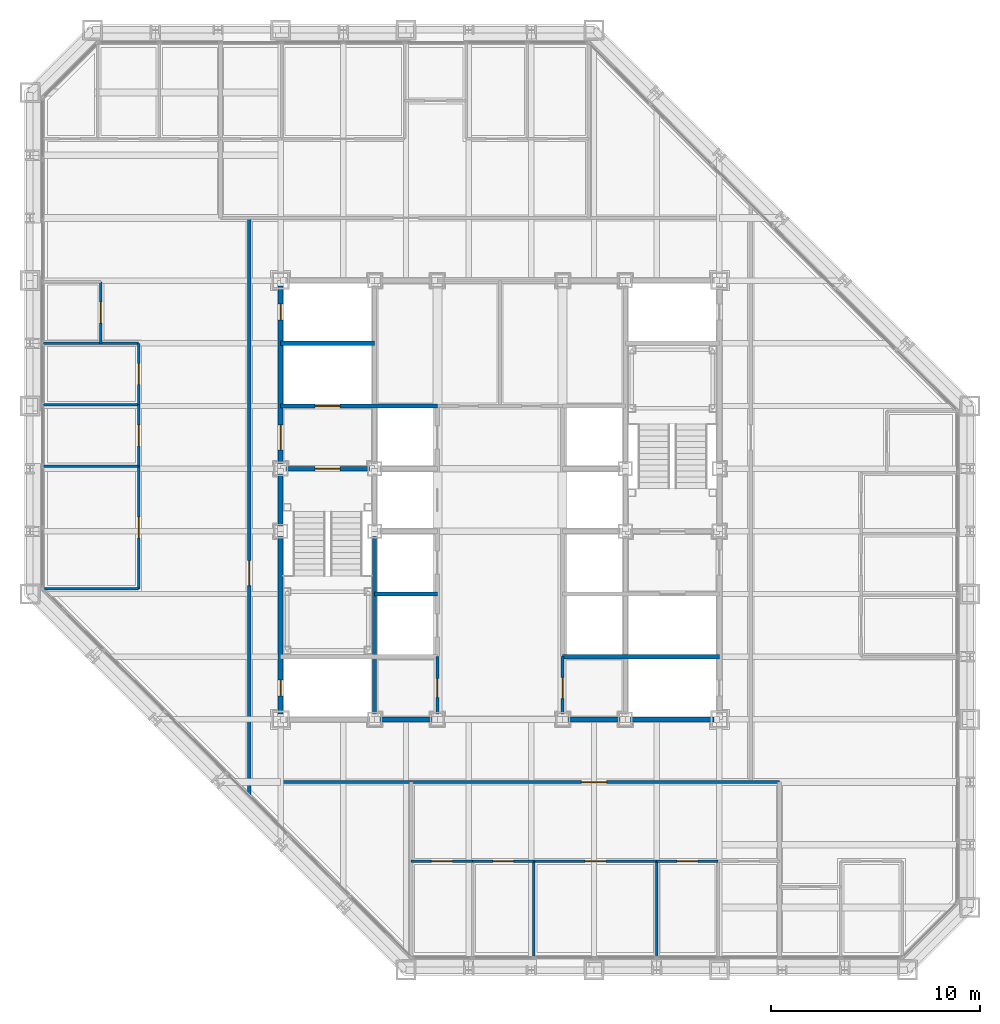
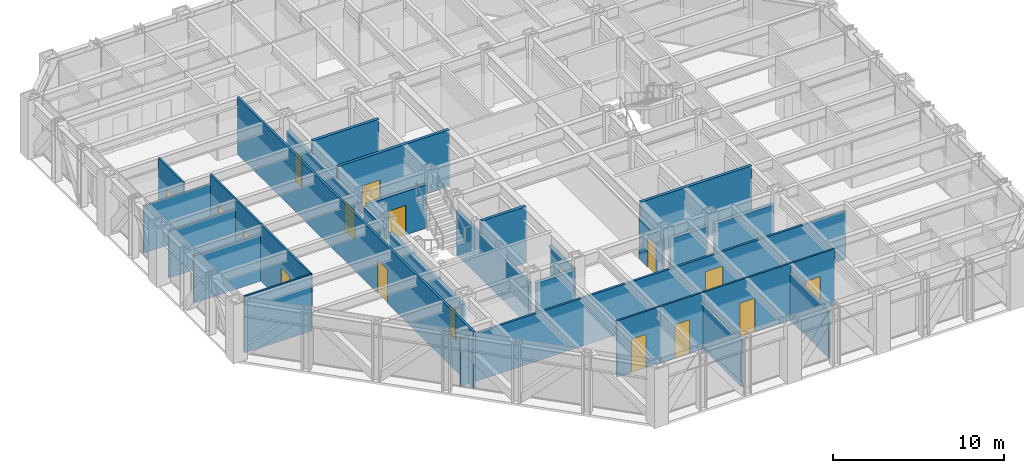
# One storey, part 10 of 16: 30 walls, 17 doors, 17 openings.
"""IFC4 building model written with IfcOpenShell, lengths in metres."""

from ifc_helpers import new_model, si_unit, direction, frame, frame_2d, origin, place, context, subcontext, project, spatial, rectangle, extrude, material, layer, layer_set, type_object, element, fill, save


model = new_model("IFC4")

# Units and contexts
model_context = context("Model", 3, precision=1e-05, world=origin(), true_north=direction((0.0, 1.0)))
body_context = subcontext(model_context, "Body", "Model", "MODEL_VIEW")
ifc_project = project(units=[si_unit("LENGTHUNIT", "METRE"), si_unit("AREAUNIT", "SQUARE_METRE"), si_unit("VOLUMEUNIT", "CUBIC_METRE"), si_unit("PLANEANGLEUNIT", "RADIAN"), si_unit("MASSUNIT", "GRAM", prefix="KILO")], contexts=[model_context])

# Site, building, storey
site_placement = place(None, origin())
site = spatial("IfcSite", under=ifc_project, at=site_placement, CompositionType="ELEMENT")
building_placement = place(site_placement, origin())
building = spatial("IfcBuilding", under=site, at=building_placement, Name="Chuquiago Exchange Tower", CompositionType="ELEMENT")
storey_placement = place(building_placement, frame((0.0, 0.0, 106.800048828125)))
storey = spatial("IfcBuildingStorey", under=building, at=storey_placement, Name="L22", CompositionType="ELEMENT", Elevation=106.800048828125)

# Wall, opening, door
ifc_material_1 = material(Name="Concrete masonry, fully grouted", Category="masonry")
ifc_layer_1 = layer(ifc_material_1, 0.25)
ifc_layer_set_1 = layer_set([ifc_layer_1], Name="W1 core wall 250")
wall_type_1 = type_object("IfcWallType", Name="W1 core wall 250", PredefinedType="SOLIDWALL", material=ifc_layer_set_1)
wall_1_placement = place(storey_placement, frame((12.0, 12.25, 0.0), z_axis=(0.0, 0.0, 1.0), x_axis=(0.0, 1.0, 0.0)))
wall_1 = element("IfcWall", 1, at=wall_1_placement, inside=storey, type_object=wall_type_1, Name="CW-L22-00-0", PredefinedType="SOLIDWALL", context=body_context, shape_type="SweptSolid", body=[
    extrude(rectangle(XDim=8.5, YDim=0.25, at=frame_2d((4.25, 0.0))), origin(), (0.0, 0.0, 1.0), 3.11279296875),
])
opening_1_placement = place(wall_1_placement, frame((0.875, 0.0, 0.0)))
opening_1 = element("IfcOpeningElement", 2, at=opening_1_placement, cuts=wall_1, Name="Opening L22-007", PredefinedType="OPENING", context=body_context, shape_type="SweptSolid", body=[
    extrude(rectangle(XDim=0.75, YDim=2.10009765625, at=frame_2d((0.375, 1.050048828125))), frame((0.0, 0.135009765625, 0.0), z_axis=(0.0, -1.0, 0.0), x_axis=(1.0, 0.0, 0.0)), (0.0, 0.0, 1.0), 0.27001953125),
])
ifc_material_2 = material(Name="Steel door, painted", Category="steel")
door_type_1 = type_object("IfcDoorType", Name="D6 riser access door 750x2100", OperationType="SINGLE_SWING_LEFT", PredefinedType="DOOR", material=ifc_material_2)
door_1_placement = place(opening_1_placement, frame((0.75, 0.0, 0.0), z_axis=(0.0, 0.0, 1.0), x_axis=(-1.0, 0.0, 0.0)))
door_1 = element("IfcDoor", 3, at=door_1_placement, inside=storey, type_object=door_type_1, Name="Riser RW1 door", OperationType="SINGLE_SWING_RIGHT", OverallHeight=2.10009765625, OverallWidth=0.75, PredefinedType="DOOR", context=body_context, shape_type="SweptSolid", body=[
    extrude(rectangle(XDim=0.75, YDim=2.10009765625, at=frame_2d((0.375, 1.050048828125))), frame((0.0, 0.02490234375, 0.0), z_axis=(0.0, -1.0, 0.0), x_axis=(1.0, 0.0, 0.0)), (0.0, 0.0, 1.0), 0.050048828125),
])
fill(opening_1, door_1)

# Wall
wall_2_placement = place(storey_placement, frame((12.0, 21.25, 0.0), z_axis=(0.0, 0.0, 1.0), x_axis=(0.0, 1.0, 0.0)))
element("IfcWall", 4, at=wall_2_placement, inside=storey, type_object=wall_type_1, Name="CW-L22-00-1", PredefinedType="SOLIDWALL", context=body_context, shape_type="SweptSolid", body=[
    extrude(rectangle(XDim=2.5, YDim=0.25, at=frame_2d((1.25, 0.0))), origin(), (0.0, 0.0, 1.0), 3.11279296875),
])

# Wall, openings, doors
wall_3_placement = place(storey_placement, frame((12.0, 24.25, 0.0), z_axis=(0.0, 0.0, 1.0), x_axis=(0.0, 1.0, 0.0)))
wall_3 = element("IfcWall", 5, at=wall_3_placement, inside=storey, type_object=wall_type_1, Name="CW-L22-00-2", PredefinedType="SOLIDWALL", context=body_context, shape_type="SweptSolid", body=[
    extrude(rectangle(XDim=8.5, YDim=0.25, at=frame_2d((4.25, 0.0))), origin(), (0.0, 0.0, 1.0), 3.11279296875),
])
opening_2_placement = place(wall_3_placement, frame((0.64990234375, 0.0, 0.0)))
opening_2 = element("IfcOpeningElement", 6, at=opening_2_placement, cuts=wall_3, Name="Opening L22-002", PredefinedType="OPENING", context=body_context, shape_type="SweptSolid", body=[
    extrude(rectangle(XDim=1.199951171875, YDim=2.10009765625, at=frame_2d((0.60009765625, 1.050048828125))), frame((0.0, 0.135009765625, 0.0), z_axis=(0.0, -1.0, 0.0), x_axis=(1.0, 0.0, 0.0)), (0.0, 0.0, 1.0), 0.27001953125),
])
opening_3_placement = place(wall_3_placement, frame((6.875, 0.0, 0.0)))
opening_3 = element("IfcOpeningElement", 7, at=opening_3_placement, cuts=wall_3, Name="Opening L22-008", PredefinedType="OPENING", context=body_context, shape_type="SweptSolid", body=[
    extrude(rectangle(XDim=0.75, YDim=2.10009765625, at=frame_2d((0.375, 1.050048828125))), frame((0.0, 0.135009765625, 0.0), z_axis=(0.0, -1.0, 0.0), x_axis=(1.0, 0.0, 0.0)), (0.0, 0.0, 1.0), 0.27001953125),
])
ifc_material_3 = material(Name="Steel door, painted", Category="steel")
door_type_2 = type_object("IfcDoorType", Name="D5 firefighting lobby door 1200x2100", OperationType="SINGLE_SWING_LEFT", PredefinedType="DOOR", material=ifc_material_3)
door_2_placement = place(opening_2_placement, frame((1.199951171875, 0.0, 0.0), z_axis=(0.0, 0.0, 1.0), x_axis=(-1.0, 0.0, 0.0)))
door_2 = element("IfcDoor", 8, at=door_2_placement, inside=storey, type_object=door_type_2, Name="Firefighting lobby 1 door", OperationType="SINGLE_SWING_RIGHT", OverallHeight=2.10009765625, OverallWidth=1.199951171875, PredefinedType="DOOR", context=body_context, shape_type="SweptSolid", body=[
    extrude(rectangle(XDim=1.199951171875, YDim=2.10009765625, at=frame_2d((0.60009765625, 1.050048828125))), frame((0.0, 0.02490234375, 0.0), z_axis=(0.0, -1.0, 0.0), x_axis=(1.0, 0.0, 0.0)), (0.0, 0.0, 1.0), 0.050048828125),
])
fill(opening_2, door_2)
door_3_placement = place(opening_3_placement, frame((0.75, 0.0, 0.0), z_axis=(0.0, 0.0, 1.0), x_axis=(-1.0, 0.0, 0.0)))
door_3 = element("IfcDoor", 9, at=door_3_placement, inside=storey, type_object=door_type_1, Name="Riser RW2 door", OperationType="SINGLE_SWING_LEFT", OverallHeight=2.10009765625, OverallWidth=0.75, PredefinedType="DOOR", context=body_context, shape_type="SweptSolid", body=[
    extrude(rectangle(XDim=0.75, YDim=2.10009765625, at=frame_2d((0.375, 1.050048828125))), frame((0.0, 0.02490234375, 0.0), z_axis=(0.0, -1.0, 0.0), x_axis=(1.0, 0.0, 0.0)), (0.0, 0.0, 1.0), 0.050048828125),
])
fill(opening_3, door_3)

# Walls
for number, where, z_axis, x_axis, name in (
    (10, (16.75, 12.0, 0.0), (0.0, 0.0, 1.0), (1.0, 0.0, 0.0), "CW-L22-01-1"),
    (11, (25.75, 12.0, 0.0), (0.0, 0.0, 1.0), (1.0, 0.0, 0.0), "CW-L22-02-0"),
):
    element("IfcWall", number, at=place(storey_placement, frame(where, z_axis=z_axis, x_axis=x_axis)), inside=storey, type_object=wall_type_1, Name=name, PredefinedType="SOLIDWALL", context=body_context, shape_type="SweptSolid", body=[
        extrude(rectangle(XDim=2.5, YDim=0.25, at=frame_2d((1.25, 0.0))), origin(), (0.0, 0.0, 1.0), 3.181396484375),
    ])
wall_4_placement = place(storey_placement, frame((28.75, 12.0, 0.0), z_axis=(0.0, 0.0, 1.0), x_axis=(1.0, 0.0, 0.0)))
element("IfcWall", 12, at=wall_4_placement, inside=storey, type_object=wall_type_1, Name="CW-L22-02-1", PredefinedType="SOLIDWALL", context=body_context, shape_type="SweptSolid", body=[
    extrude(rectangle(XDim=4.0, YDim=0.25, at=frame_2d((2.0, 0.0))), origin(), (0.0, 0.0, 1.0), 3.181396484375),
])

# Wall, opening, door
ifc_material_4 = material(Name="Gypsum board on steel studs, acoustic insulation", Category="steel")
ifc_layer_2 = layer(ifc_material_4, 0.14990234375)
ifc_layer_set_2 = layer_set([ifc_layer_2], Name="W11 corridor wall 150")
wall_type_2 = type_object("IfcWallType", Name="W11 corridor wall 150", PredefinedType="PARTITIONING", material=ifc_layer_set_2)
wall_5_placement = place(storey_placement, frame((9.885498046875, 9.0, 0.0), z_axis=(0.0, 0.0, 1.0), x_axis=(1.0, 0.0, 0.0)))
wall_5 = element("IfcWall", 13, at=wall_5_placement, inside=storey, type_object=wall_type_2, Name="PW-L22-CS", PredefinedType="PARTITIONING", context=body_context, shape_type="SweptSolid", body=[
    extrude(rectangle(XDim=25.990234375, YDim=0.14990234375, at=frame_2d((12.9951171875, 0.0))), origin(), (0.0, 0.0, 1.0), 3.427734375),
])
opening_4_placement = place(wall_5_placement, frame((16.514404296875, 0.0, 0.0)))
opening_4 = element("IfcOpeningElement", 14, at=opening_4_placement, cuts=wall_5, Name="Opening L22-042", PredefinedType="OPENING", context=body_context, shape_type="SweptSolid", body=[
    extrude(rectangle(XDim=1.199951171875, YDim=2.39990234375, at=frame_2d((0.60009765625, 1.199951171875))), frame((0.0, 0.0849609375, 0.0), z_axis=(0.0, -1.0, 0.0), x_axis=(1.0, 0.0, 0.0)), (0.0, 0.0, 1.0), 0.169921875),
])
ifc_material_5 = material(Name="Timber door, laminate faced", Category="wood")
door_type_3 = type_object("IfcDoorType", Name="D13 suite entrance door 1200x2400", OperationType="SINGLE_SWING_LEFT", PredefinedType="DOOR", material=ifc_material_5)
door_4_placement = place(opening_4_placement, frame((1.199951171875, 0.0, 0.0), z_axis=(0.0, 0.0, 1.0), x_axis=(-1.0, 0.0, 0.0)))
door_4 = element("IfcDoor", 15, at=door_4_placement, inside=storey, type_object=door_type_3, Name="South suite entrance door", OperationType="SINGLE_SWING_LEFT", OverallHeight=2.39990234375, OverallWidth=1.199951171875, PredefinedType="DOOR", context=body_context, shape_type="SweptSolid", body=[
    extrude(rectangle(XDim=1.199951171875, YDim=2.39990234375, at=frame_2d((0.60009765625, 1.199951171875))), frame((0.0, 0.02490234375, 0.0), z_axis=(0.0, -1.0, 0.0), x_axis=(1.0, 0.0, 0.0)), (0.0, 0.0, 1.0), 0.050048828125),
])
fill(opening_4, door_4)

wall_6_placement = place(storey_placement, frame((10.5, 8.385498046875, 0.0), z_axis=(0.0, 0.0, 1.0), x_axis=(0.0, 1.0, 0.0)))
wall_6 = element("IfcWall", 16, at=wall_6_placement, inside=storey, type_object=wall_type_2, Name="PW-L22-CW", PredefinedType="PARTITIONING", context=body_context, shape_type="SweptSolid", body=[
    extrude(rectangle(XDim=27.614501953125, YDim=0.14990234375, at=frame_2d((13.80712890625, 0.0))), origin(), (0.0, 0.0, 1.0), 4.0400390625),
])
opening_5_placement = place(wall_6_placement, frame((10.014404296875, 0.0, 0.0)))
opening_5 = element("IfcOpeningElement", 17, at=opening_5_placement, cuts=wall_6, Name="Opening L22-044", PredefinedType="OPENING", context=body_context, shape_type="SweptSolid", body=[
    extrude(rectangle(XDim=1.199951171875, YDim=2.39990234375, at=frame_2d((0.60009765625, 1.199951171875))), frame((0.0, 0.0849609375, 0.0), z_axis=(0.0, -1.0, 0.0), x_axis=(1.0, 0.0, 0.0)), (0.0, 0.0, 1.0), 0.169921875),
])
door_5_placement = place(opening_5_placement, origin())
door_5 = element("IfcDoor", 18, at=door_5_placement, inside=storey, type_object=door_type_3, Name="West suite entrance door", OperationType="SINGLE_SWING_LEFT", OverallHeight=2.39990234375, OverallWidth=1.199951171875, PredefinedType="DOOR", context=body_context, shape_type="SweptSolid", body=[
    extrude(rectangle(XDim=1.199951171875, YDim=2.39990234375, at=frame_2d((0.60009765625, 1.199951171875))), frame((0.0, 0.02490234375, 0.0), z_axis=(0.0, -1.0, 0.0), x_axis=(1.0, 0.0, 0.0)), (0.0, 0.0, 1.0), 0.050048828125),
])
fill(opening_5, door_5)

# Wall
ifc_material_6 = material(Name="Concrete masonry, fully grouted", Category="masonry")
ifc_layer_3 = layer(ifc_material_6, 0.199951171875)
ifc_layer_set_3 = layer_set([ifc_layer_3], Name="W2 shaft wall 200")
wall_type_3 = type_object("IfcWallType", Name="W2 shaft wall 200", PredefinedType="SOLIDWALL", material=ifc_layer_set_3)
wall_7_placement = place(storey_placement, frame((25.5, 15.0, 0.0), z_axis=(0.0, 0.0, 1.0), x_axis=(1.0, 0.0, 0.0)))
element("IfcWall", 19, at=wall_7_placement, inside=storey, type_object=wall_type_3, Name="CW-L22-04-0", PredefinedType="SOLIDWALL", context=body_context, shape_type="SweptSolid", body=[
    extrude(rectangle(XDim=7.5, YDim=0.199951171875, at=frame_2d((3.75, 0.0))), origin(), (0.0, 0.0, 1.0), 4.0400390625),
])

# Wall, opening, door
wall_8_placement = place(storey_placement, frame((12.25, 24.0, 0.0), z_axis=(0.0, 0.0, 1.0), x_axis=(1.0, 0.0, 0.0)))
wall_8 = element("IfcWall", 20, at=wall_8_placement, inside=storey, type_object=wall_type_3, Name="CW-L22-05-0", PredefinedType="SOLIDWALL", context=body_context, shape_type="SweptSolid", body=[
    extrude(rectangle(XDim=4.0, YDim=0.199951171875, at=frame_2d((2.0, 0.0))), origin(), (0.0, 0.0, 1.0), 3.08984375),
])
opening_6_placement = place(wall_8_placement, frame((1.39990234375, 0.0, 0.0)))
opening_6 = element("IfcOpeningElement", 21, at=opening_6_placement, cuts=wall_8, Name="Opening L22-001", PredefinedType="OPENING", context=body_context, shape_type="SweptSolid", body=[
    extrude(rectangle(XDim=1.199951171875, YDim=2.10009765625, at=frame_2d((0.60009765625, 1.050048828125))), frame((0.0, 0.10986328125, 0.0), z_axis=(0.0, -1.0, 0.0), x_axis=(1.0, 0.0, 0.0)), (0.0, 0.0, 1.0), 0.219970703125),
])
ifc_material_7 = material(Name="Steel door, painted", Category="steel")
door_type_4 = type_object("IfcDoorType", Name="D4 stair door 1200x2100", OperationType="SINGLE_SWING_LEFT", PredefinedType="DOOR", material=ifc_material_7)
door_6_placement = place(opening_6_placement, frame((1.199951171875, 0.0, 0.0), z_axis=(0.0, 0.0, 1.0), x_axis=(-1.0, 0.0, 0.0)))
door_6 = element("IfcDoor", 22, at=door_6_placement, inside=storey, type_object=door_type_4, Name="Stair ST1 door", OperationType="SINGLE_SWING_RIGHT", OverallHeight=2.10009765625, OverallWidth=1.199951171875, PredefinedType="DOOR", context=body_context, shape_type="SweptSolid", body=[
    extrude(rectangle(XDim=1.199951171875, YDim=2.10009765625, at=frame_2d((0.60009765625, 1.050048828125))), frame((0.0, 0.02490234375, 0.0), z_axis=(0.0, -1.0, 0.0), x_axis=(1.0, 0.0, 0.0)), (0.0, 0.0, 1.0), 0.050048828125),
])
fill(opening_6, door_6)

wall_9_placement = place(storey_placement, frame((12.0, 27.0, 0.0), z_axis=(0.0, 0.0, 1.0), x_axis=(1.0, 0.0, 0.0)))
wall_9 = element("IfcWall", 23, at=wall_9_placement, inside=storey, type_object=wall_type_3, Name="CW-L22-07-0", PredefinedType="SOLIDWALL", context=body_context, shape_type="SweptSolid", body=[
    extrude(rectangle(XDim=7.5, YDim=0.199951171875, at=frame_2d((3.75, 0.0))), origin(), (0.0, 0.0, 1.0), 4.0400390625),
])
opening_7_placement = place(wall_9_placement, frame((1.64990234375, 0.0, 0.0)))
opening_7 = element("IfcOpeningElement", 24, at=opening_7_placement, cuts=wall_9, Name="Opening L22-005", PredefinedType="OPENING", context=body_context, shape_type="SweptSolid", body=[
    extrude(rectangle(XDim=1.199951171875, YDim=2.10009765625, at=frame_2d((0.60009765625, 1.050048828125))), frame((0.0, 0.10986328125, 0.0), z_axis=(0.0, -1.0, 0.0), x_axis=(1.0, 0.0, 0.0)), (0.0, 0.0, 1.0), 0.219970703125),
])
ifc_material_8 = material(Name="Stainless steel lift landing door", Category="steel")
door_type_5 = type_object("IfcDoorType", Name="LD2 firefighting lift landing door 1200x2100", OperationType="DOUBLE_DOOR_SLIDING", PredefinedType="DOOR", material=ifc_material_8)
door_7_placement = place(opening_7_placement, origin())
door_7 = element("IfcDoor", 25, at=door_7_placement, inside=storey, type_object=door_type_5, Name="Firefighting lift FL1 landing door", OperationType="DOUBLE_DOOR_SLIDING", OverallHeight=2.10009765625, OverallWidth=1.199951171875, PredefinedType="DOOR", context=body_context, shape_type="SweptSolid", body=[
    extrude(rectangle(XDim=1.199951171875, YDim=2.10009765625, at=frame_2d((0.60009765625, 1.050048828125))), frame((0.0, 0.02490234375, 0.0), z_axis=(0.0, -1.0, 0.0), x_axis=(1.0, 0.0, 0.0)), (0.0, 0.0, 1.0), 0.050048828125),
])
fill(opening_7, door_7)

# Walls
wall_10_placement = place(storey_placement, frame((12.0, 30.0, 0.0), z_axis=(0.0, 0.0, 1.0), x_axis=(1.0, 0.0, 0.0)))
element("IfcWall", 26, at=wall_10_placement, inside=storey, type_object=wall_type_3, Name="CW-L22-09-0", PredefinedType="SOLIDWALL", context=body_context, shape_type="SweptSolid", body=[
    extrude(rectangle(XDim=4.5, YDim=0.199951171875, at=frame_2d((2.25, 0.0))), origin(), (0.0, 0.0, 1.0), 4.0400390625),
])
wall_11_placement = place(storey_placement, frame((16.5, 12.25, 0.0), z_axis=(0.0, 0.0, 1.0), x_axis=(0.0, 1.0, 0.0)))
element("IfcWall", 27, at=wall_11_placement, inside=storey, type_object=wall_type_3, Name="CW-L22-13-0", PredefinedType="SOLIDWALL", context=body_context, shape_type="SweptSolid", body=[
    extrude(rectangle(XDim=8.5, YDim=0.199951171875, at=frame_2d((4.25, 0.0))), origin(), (0.0, 0.0, 1.0), 3.11279296875),
])
wall_12_placement = place(storey_placement, frame((16.5, 18.0, 0.0), z_axis=(0.0, 0.0, 1.0), x_axis=(1.0, 0.0, 0.0)))
element("IfcWall", 28, at=wall_12_placement, inside=storey, type_object=wall_type_3, Name="CW-L22-14-0", PredefinedType="SOLIDWALL", context=body_context, shape_type="SweptSolid", body=[
    extrude(rectangle(XDim=3.0, YDim=0.199951171875, at=frame_2d((1.5, 0.0))), origin(), (0.0, 0.0, 1.0), 4.0400390625),
])

# Wall, opening, door
ifc_material_9 = material(Name="Gypsum board on steel studs", Category="steel")
ifc_layer_4 = layer(ifc_material_9, 0.14990234375)
ifc_layer_set_4 = layer_set([ifc_layer_4], Name="W3 core partition 150")
wall_type_4 = type_object("IfcWallType", Name="W3 core partition 150", PredefinedType="PARTITIONING", material=ifc_layer_set_4)
wall_13_placement = place(storey_placement, frame((19.5, 12.25, 0.0), z_axis=(0.0, 0.0, 1.0), x_axis=(0.0, 1.0, 0.0)))
wall_13 = element("IfcWall", 29, at=wall_13_placement, inside=storey, type_object=wall_type_4, Name="CW-L22-18-0", PredefinedType="PARTITIONING", context=body_context, shape_type="SweptSolid", body=[
    extrude(rectangle(XDim=2.75, YDim=0.14990234375, at=frame_2d((1.375, 0.0))), origin(), (0.0, 0.0, 1.0), 3.064453125),
])
opening_8_placement = place(wall_13_placement, frame((0.800048828125, 0.0, 0.0)))
opening_8 = element("IfcOpeningElement", 30, at=opening_8_placement, cuts=wall_13, Name="Opening L22-014", PredefinedType="OPENING", context=body_context, shape_type="SweptSolid", body=[
    extrude(rectangle(XDim=0.89990234375, YDim=2.10009765625, at=frame_2d((0.449951171875, 1.050048828125))), frame((0.0, 0.0849609375, 0.0), z_axis=(0.0, -1.0, 0.0), x_axis=(1.0, 0.0, 0.0)), (0.0, 0.0, 1.0), 0.169921875),
])
ifc_material_10 = material(Name="Timber door, laminate faced", Category="wood")
door_type_6 = type_object("IfcDoorType", Name="D7 toilet door 900x2100", OperationType="SINGLE_SWING_LEFT", PredefinedType="DOOR", material=ifc_material_10)
door_8_placement = place(opening_8_placement, frame((0.89990234375, 0.0, 0.0), z_axis=(0.0, 0.0, 1.0), x_axis=(-1.0, 0.0, 0.0)))
door_8 = element("IfcDoor", 31, at=door_8_placement, inside=storey, type_object=door_type_6, Name="Cleaner door", OperationType="SINGLE_SWING_RIGHT", OverallHeight=2.10009765625, OverallWidth=0.89990234375, PredefinedType="DOOR", context=body_context, shape_type="SweptSolid", body=[
    extrude(rectangle(XDim=0.89990234375, YDim=2.10009765625, at=frame_2d((0.449951171875, 1.050048828125))), frame((0.0, 0.02490234375, 0.0), z_axis=(0.0, -1.0, 0.0), x_axis=(1.0, 0.0, 0.0)), (0.0, 0.0, 1.0), 0.050048828125),
])
fill(opening_8, door_8)

wall_14_placement = place(storey_placement, frame((25.5, 12.25, 0.0), z_axis=(0.0, 0.0, 1.0), x_axis=(0.0, 1.0, 0.0)))
wall_14 = element("IfcWall", 32, at=wall_14_placement, inside=storey, type_object=wall_type_4, Name="CW-L22-21-0", PredefinedType="PARTITIONING", context=body_context, shape_type="SweptSolid", body=[
    extrude(rectangle(XDim=2.75, YDim=0.14990234375, at=frame_2d((1.375, 0.0))), origin(), (0.0, 0.0, 1.0), 3.064453125),
])
opening_9_placement = place(wall_14_placement, frame((0.75, 0.0, 0.0)))
opening_9 = element("IfcOpeningElement", 33, at=opening_9_placement, cuts=wall_14, Name="Opening L22-013", PredefinedType="OPENING", context=body_context, shape_type="SweptSolid", body=[
    extrude(rectangle(XDim=1.0, YDim=2.10009765625, at=frame_2d((0.5, 1.050048828125))), frame((0.0, 0.0849609375, 0.0), z_axis=(0.0, -1.0, 0.0), x_axis=(1.0, 0.0, 0.0)), (0.0, 0.0, 1.0), 0.169921875),
])
ifc_material_11 = material(Name="Timber door, laminate faced", Category="wood")
door_type_7 = type_object("IfcDoorType", Name="D8 accessible toilet door 1000x2100", OperationType="SLIDING_TO_LEFT", PredefinedType="DOOR", material=ifc_material_11)
door_9_placement = place(opening_9_placement, origin())
door_9 = element("IfcDoor", 34, at=door_9_placement, inside=storey, type_object=door_type_7, Name="Accessible WC door", OperationType="SLIDING_TO_LEFT", OverallHeight=2.10009765625, OverallWidth=1.0, PredefinedType="DOOR", context=body_context, shape_type="SweptSolid", body=[
    extrude(rectangle(XDim=1.0, YDim=2.10009765625, at=frame_2d((0.5, 1.050048828125))), frame((0.0, 0.02490234375, 0.0), z_axis=(0.0, -1.0, 0.0), x_axis=(1.0, 0.0, 0.0)), (0.0, 0.0, 1.0), 0.050048828125),
])
fill(opening_9, door_9)

# Walls
ifc_material_12 = material(Name="Gypsum board on steel studs", Category="steel")
ifc_layer_5 = layer(ifc_material_12, 0.1201171875)
ifc_layer_set_5 = layer_set([ifc_layer_5], Name="W4 partition 120")
wall_type_5 = type_object("IfcWallType", Name="W4 partition 120", PredefinedType="PARTITIONING", material=ifc_layer_set_5)
for number, where, z_axis, x_axis, name in (
    (35, (24.124267578125, 0.652587890625, 0.0), (0.0, 0.0, 1.0), (0.0, 1.0, 0.0), "PW-L22-S02412"),
    (36, (30.0, 0.652587890625, 0.0), (0.0, 0.0, 1.0), (0.0, 1.0, 0.0), "PW-L22-S03000"),
):
    element("IfcWall", number, at=place(storey_placement, frame(where, z_axis=z_axis, x_axis=x_axis)), inside=storey, type_object=wall_type_5, Name=name, PredefinedType="PARTITIONING", context=body_context, shape_type="SweptSolid", body=[
        extrude(rectangle(XDim=4.54736328125, YDim=0.1201171875, at=frame_2d((2.273681640625, 0.0))), origin(), (0.0, 0.0, 1.0), 3.356689453125),
    ])

# Wall, opening, door
wall_15_placement = place(storey_placement, frame((18.24853515625, 5.199951171875, 0.0), z_axis=(0.0, 0.0, 1.0), x_axis=(1.0, 0.0, 0.0)))
wall_15 = element("IfcWall", 37, at=wall_15_placement, inside=storey, type_object=wall_type_5, Name="PW-L22-SF01825", PredefinedType="PARTITIONING", context=body_context, shape_type="SweptSolid", body=[
    extrude(rectangle(XDim=2.937744140625, YDim=0.1201171875, at=frame_2d((1.46875, 0.0))), origin(), (0.0, 0.0, 1.0), 4.0400390625),
])
opening_10_placement = place(wall_15_placement, frame((0.968994140625, 0.0, 0.0)))
opening_10 = element("IfcOpeningElement", 38, at=opening_10_placement, cuts=wall_15, Name="Opening L22-019", PredefinedType="OPENING", context=body_context, shape_type="SweptSolid", body=[
    extrude(rectangle(XDim=1.0, YDim=2.39990234375, at=frame_2d((0.5, 1.199951171875))), frame((0.0, 0.070068359375, 0.0), z_axis=(0.0, -1.0, 0.0), x_axis=(1.0, 0.0, 0.0)), (0.0, 0.0, 1.0), 0.14013671875),
])
ifc_material_13 = material(Name="Timber door, laminate faced", Category="wood")
door_type_8 = type_object("IfcDoorType", Name="D9 room door 1000x2400", OperationType="SINGLE_SWING_LEFT", PredefinedType="DOOR", material=ifc_material_13)
door_10_placement = place(opening_10_placement, frame((1.0, 0.0, 0.0), z_axis=(0.0, 0.0, 1.0), x_axis=(-1.0, 0.0, 0.0)))
door_10 = element("IfcDoor", 39, at=door_10_placement, inside=storey, type_object=door_type_8, Name="Office door", OperationType="SINGLE_SWING_RIGHT", OverallHeight=2.39990234375, OverallWidth=1.0, PredefinedType="DOOR", context=body_context, shape_type="SweptSolid", body=[
    extrude(rectangle(XDim=1.0, YDim=2.39990234375, at=frame_2d((0.5, 1.199951171875))), frame((0.0, 0.02490234375, 0.0), z_axis=(0.0, -1.0, 0.0), x_axis=(1.0, 0.0, 0.0)), (0.0, 0.0, 1.0), 0.050048828125),
])
fill(opening_10, door_10)

wall_16_placement = place(storey_placement, frame((21.186279296875, 5.199951171875, 0.0), z_axis=(0.0, 0.0, 1.0), x_axis=(1.0, 0.0, 0.0)))
wall_16 = element("IfcWall", 40, at=wall_16_placement, inside=storey, type_object=wall_type_5, Name="PW-L22-SF02119", PredefinedType="PARTITIONING", context=body_context, shape_type="SweptSolid", body=[
    extrude(rectangle(XDim=2.93798828125, YDim=0.1201171875, at=frame_2d((1.468994140625, 0.0))), origin(), (0.0, 0.0, 1.0), 4.0400390625),
])
opening_11_placement = place(wall_16_placement, frame((0.968994140625, 0.0, 0.0)))
opening_11 = element("IfcOpeningElement", 41, at=opening_11_placement, cuts=wall_16, Name="Opening L22-020", PredefinedType="OPENING", context=body_context, shape_type="SweptSolid", body=[
    extrude(rectangle(XDim=1.0, YDim=2.39990234375, at=frame_2d((0.5, 1.199951171875))), frame((0.0, 0.070068359375, 0.0), z_axis=(0.0, -1.0, 0.0), x_axis=(1.0, 0.0, 0.0)), (0.0, 0.0, 1.0), 0.14013671875),
])
door_11_placement = place(opening_11_placement, frame((1.0, 0.0, 0.0), z_axis=(0.0, 0.0, 1.0), x_axis=(-1.0, 0.0, 0.0)))
door_11 = element("IfcDoor", 42, at=door_11_placement, inside=storey, type_object=door_type_8, Name="Office door", OperationType="SINGLE_SWING_LEFT", OverallHeight=2.39990234375, OverallWidth=1.0, PredefinedType="DOOR", context=body_context, shape_type="SweptSolid", body=[
    extrude(rectangle(XDim=1.0, YDim=2.39990234375, at=frame_2d((0.5, 1.199951171875))), frame((0.0, 0.02490234375, 0.0), z_axis=(0.0, -1.0, 0.0), x_axis=(1.0, 0.0, 0.0)), (0.0, 0.0, 1.0), 0.050048828125),
])
fill(opening_11, door_11)

wall_17_placement = place(storey_placement, frame((24.124267578125, 5.199951171875, 0.0), z_axis=(0.0, 0.0, 1.0), x_axis=(1.0, 0.0, 0.0)))
wall_17 = element("IfcWall", 43, at=wall_17_placement, inside=storey, type_object=wall_type_5, Name="PW-L22-SF02412", PredefinedType="PARTITIONING", context=body_context, shape_type="SweptSolid", body=[
    extrude(rectangle(XDim=5.875732421875, YDim=0.1201171875, at=frame_2d((2.93798828125, 0.0))), origin(), (0.0, 0.0, 1.0), 4.0400390625),
])
opening_12_placement = place(wall_17_placement, frame((2.437744140625, 0.0, 0.0)))
opening_12 = element("IfcOpeningElement", 44, at=opening_12_placement, cuts=wall_17, Name="Opening L22-021", PredefinedType="OPENING", context=body_context, shape_type="SweptSolid", body=[
    extrude(rectangle(XDim=1.0, YDim=2.39990234375, at=frame_2d((0.5, 1.199951171875))), frame((0.0, 0.070068359375, 0.0), z_axis=(0.0, -1.0, 0.0), x_axis=(1.0, 0.0, 0.0)), (0.0, 0.0, 1.0), 0.14013671875),
])
ifc_material_14 = material(Name="Timber frame door, full height glazed panel", Category="wood")
door_type_9 = type_object("IfcDoorType", Name="D14 glazed meeting room door 1000x2400", OperationType="SINGLE_SWING_LEFT", PredefinedType="DOOR", material=ifc_material_14)
door_12_placement = place(opening_12_placement, frame((1.0, 0.0, 0.0), z_axis=(0.0, 0.0, 1.0), x_axis=(-1.0, 0.0, 0.0)))
door_12 = element("IfcDoor", 45, at=door_12_placement, inside=storey, type_object=door_type_9, Name="Meeting room door", OperationType="SINGLE_SWING_RIGHT", OverallHeight=2.39990234375, OverallWidth=1.0, PredefinedType="DOOR", context=body_context, shape_type="SweptSolid", body=[
    extrude(rectangle(XDim=1.0, YDim=2.39990234375, at=frame_2d((0.5, 1.199951171875))), frame((0.0, 0.02490234375, 0.0), z_axis=(0.0, -1.0, 0.0), x_axis=(1.0, 0.0, 0.0)), (0.0, 0.0, 1.0), 0.050048828125),
])
fill(opening_12, door_12)

wall_18_placement = place(storey_placement, frame((30.0, 5.199951171875, 0.0), z_axis=(0.0, 0.0, 1.0), x_axis=(1.0, 0.0, 0.0)))
wall_18 = element("IfcWall", 46, at=wall_18_placement, inside=storey, type_object=wall_type_5, Name="PW-L22-SF03000", PredefinedType="PARTITIONING", context=body_context, shape_type="SweptSolid", body=[
    extrude(rectangle(XDim=2.93798828125, YDim=0.1201171875, at=frame_2d((1.468994140625, 0.0))), origin(), (0.0, 0.0, 1.0), 4.0400390625),
])
opening_13_placement = place(wall_18_placement, frame((0.968994140625, 0.0, 0.0)))
opening_13 = element("IfcOpeningElement", 47, at=opening_13_placement, cuts=wall_18, Name="Opening L22-022", PredefinedType="OPENING", context=body_context, shape_type="SweptSolid", body=[
    extrude(rectangle(XDim=1.0, YDim=2.39990234375, at=frame_2d((0.5, 1.199951171875))), frame((0.0, 0.070068359375, 0.0), z_axis=(0.0, -1.0, 0.0), x_axis=(1.0, 0.0, 0.0)), (0.0, 0.0, 1.0), 0.14013671875),
])
door_13_placement = place(opening_13_placement, frame((1.0, 0.0, 0.0), z_axis=(0.0, 0.0, 1.0), x_axis=(-1.0, 0.0, 0.0)))
door_13 = element("IfcDoor", 48, at=door_13_placement, inside=storey, type_object=door_type_8, Name="Office door", OperationType="SINGLE_SWING_RIGHT", OverallHeight=2.39990234375, OverallWidth=1.0, PredefinedType="DOOR", context=body_context, shape_type="SweptSolid", body=[
    extrude(rectangle(XDim=1.0, YDim=2.39990234375, at=frame_2d((0.5, 1.199951171875))), frame((0.0, 0.02490234375, 0.0), z_axis=(0.0, -1.0, 0.0), x_axis=(1.0, 0.0, 0.0)), (0.0, 0.0, 1.0), 0.050048828125),
])
fill(opening_13, door_13)

# Walls
wall_19_placement = place(storey_placement, frame((0.666015625, 18.24853515625, 0.0), z_axis=(0.0, 0.0, 1.0), x_axis=(1.0, 0.0, 0.0)))
element("IfcWall", 49, at=wall_19_placement, inside=storey, type_object=wall_type_5, Name="PW-L22-W01825", PredefinedType="PARTITIONING", context=body_context, shape_type="SweptSolid", body=[
    extrude(rectangle(XDim=4.533935546875, YDim=0.1201171875, at=frame_2d((2.26708984375, 0.0))), origin(), (0.0, 0.0, 1.0), 4.0400390625),
])
for number, where, z_axis, x_axis, name in (
    (50, (0.652587890625, 24.124267578125, 0.0), (0.0, 0.0, 1.0), (1.0, 0.0, 0.0), "PW-L22-W02412"),
    (51, (0.652587890625, 27.06201171875, 0.0), (0.0, 0.0, 1.0), (1.0, 0.0, 0.0), "PW-L22-W02706"),
    (52, (0.652587890625, 30.0, 0.0), (0.0, 0.0, 1.0), (1.0, 0.0, 0.0), "PW-L22-W03000"),
):
    element("IfcWall", number, at=place(storey_placement, frame(where, z_axis=z_axis, x_axis=x_axis)), inside=storey, type_object=wall_type_5, Name=name, PredefinedType="PARTITIONING", context=body_context, shape_type="SweptSolid", body=[
        extrude(rectangle(XDim=4.54736328125, YDim=0.1201171875, at=frame_2d((2.273681640625, 0.0))), origin(), (0.0, 0.0, 1.0), 3.356689453125),
    ])

# Wall, opening, door
wall_20_placement = place(storey_placement, frame((5.199951171875, 18.24853515625, 0.0), z_axis=(0.0, 0.0, 1.0), x_axis=(0.0, 1.0, 0.0)))
wall_20 = element("IfcWall", 53, at=wall_20_placement, inside=storey, type_object=wall_type_5, Name="PW-L22-WF01825", PredefinedType="PARTITIONING", context=body_context, shape_type="SweptSolid", body=[
    extrude(rectangle(XDim=5.875732421875, YDim=0.1201171875, at=frame_2d((2.93798828125, 0.0))), origin(), (0.0, 0.0, 1.0), 4.0400390625),
])
opening_14_placement = place(wall_20_placement, frame((2.43798828125, 0.0, 0.0)))
opening_14 = element("IfcOpeningElement", 54, at=opening_14_placement, cuts=wall_20, Name="Opening L22-038", PredefinedType="OPENING", context=body_context, shape_type="SweptSolid", body=[
    extrude(rectangle(XDim=1.0, YDim=2.39990234375, at=frame_2d((0.5, 1.199951171875))), frame((0.0, 0.070068359375, 0.0), z_axis=(0.0, -1.0, 0.0), x_axis=(1.0, 0.0, 0.0)), (0.0, 0.0, 1.0), 0.14013671875),
])
door_14_placement = place(opening_14_placement, origin())
door_14 = element("IfcDoor", 55, at=door_14_placement, inside=storey, type_object=door_type_9, Name="Meeting room door", OperationType="SINGLE_SWING_LEFT", OverallHeight=2.39990234375, OverallWidth=1.0, PredefinedType="DOOR", context=body_context, shape_type="SweptSolid", body=[
    extrude(rectangle(XDim=1.0, YDim=2.39990234375, at=frame_2d((0.5, 1.199951171875))), frame((0.0, 0.02490234375, 0.0), z_axis=(0.0, -1.0, 0.0), x_axis=(1.0, 0.0, 0.0)), (0.0, 0.0, 1.0), 0.050048828125),
])
fill(opening_14, door_14)

wall_21_placement = place(storey_placement, frame((5.199951171875, 24.124267578125, 0.0), z_axis=(0.0, 0.0, 1.0), x_axis=(0.0, 1.0, 0.0)))
wall_21 = element("IfcWall", 56, at=wall_21_placement, inside=storey, type_object=wall_type_5, Name="PW-L22-WF02412", PredefinedType="PARTITIONING", context=body_context, shape_type="SweptSolid", body=[
    extrude(rectangle(XDim=2.937744140625, YDim=0.1201171875, at=frame_2d((1.46875, 0.0))), origin(), (0.0, 0.0, 1.0), 4.0400390625),
])
opening_15_placement = place(wall_21_placement, frame((0.968994140625, 0.0, 0.0)))
opening_15 = element("IfcOpeningElement", 57, at=opening_15_placement, cuts=wall_21, Name="Opening L22-039", PredefinedType="OPENING", context=body_context, shape_type="SweptSolid", body=[
    extrude(rectangle(XDim=1.0, YDim=2.39990234375, at=frame_2d((0.5, 1.199951171875))), frame((0.0, 0.070068359375, 0.0), z_axis=(0.0, -1.0, 0.0), x_axis=(1.0, 0.0, 0.0)), (0.0, 0.0, 1.0), 0.14013671875),
])
door_15_placement = place(opening_15_placement, origin())
door_15 = element("IfcDoor", 58, at=door_15_placement, inside=storey, type_object=door_type_8, Name="Office door", OperationType="SINGLE_SWING_RIGHT", OverallHeight=2.39990234375, OverallWidth=1.0, PredefinedType="DOOR", context=body_context, shape_type="SweptSolid", body=[
    extrude(rectangle(XDim=1.0, YDim=2.39990234375, at=frame_2d((0.5, 1.199951171875))), frame((0.0, 0.02490234375, 0.0), z_axis=(0.0, -1.0, 0.0), x_axis=(1.0, 0.0, 0.0)), (0.0, 0.0, 1.0), 0.050048828125),
])
fill(opening_15, door_15)

wall_22_placement = place(storey_placement, frame((5.199951171875, 27.06201171875, 0.0), z_axis=(0.0, 0.0, 1.0), x_axis=(0.0, 1.0, 0.0)))
wall_22 = element("IfcWall", 59, at=wall_22_placement, inside=storey, type_object=wall_type_5, Name="PW-L22-WF02706", PredefinedType="PARTITIONING", context=body_context, shape_type="SweptSolid", body=[
    extrude(rectangle(XDim=2.93798828125, YDim=0.1201171875, at=frame_2d((1.468994140625, 0.0))), origin(), (0.0, 0.0, 1.0), 4.0400390625),
])
opening_16_placement = place(wall_22_placement, frame((0.968994140625, 0.0, 0.0)))
opening_16 = element("IfcOpeningElement", 60, at=opening_16_placement, cuts=wall_22, Name="Opening L22-040", PredefinedType="OPENING", context=body_context, shape_type="SweptSolid", body=[
    extrude(rectangle(XDim=1.0, YDim=2.39990234375, at=frame_2d((0.5, 1.199951171875))), frame((0.0, 0.070068359375, 0.0), z_axis=(0.0, -1.0, 0.0), x_axis=(1.0, 0.0, 0.0)), (0.0, 0.0, 1.0), 0.14013671875),
])
door_16_placement = place(opening_16_placement, origin())
door_16 = element("IfcDoor", 61, at=door_16_placement, inside=storey, type_object=door_type_8, Name="Office door", OperationType="SINGLE_SWING_LEFT", OverallHeight=2.39990234375, OverallWidth=1.0, PredefinedType="DOOR", context=body_context, shape_type="SweptSolid", body=[
    extrude(rectangle(XDim=1.0, YDim=2.39990234375, at=frame_2d((0.5, 1.199951171875))), frame((0.0, 0.02490234375, 0.0), z_axis=(0.0, -1.0, 0.0), x_axis=(1.0, 0.0, 0.0)), (0.0, 0.0, 1.0), 0.050048828125),
])
fill(opening_16, door_16)

wall_23_placement = place(storey_placement, frame((3.39990234375, 30.0, 0.0), z_axis=(0.0, 0.0, 1.0), x_axis=(0.0, 1.0, 0.0)))
wall_23 = element("IfcWall", 62, at=wall_23_placement, inside=storey, type_object=wall_type_5, Name="PW-L22-WF03000", PredefinedType="PARTITIONING", context=body_context, shape_type="SweptSolid", body=[
    extrude(rectangle(XDim=2.93798828125, YDim=0.1201171875, at=frame_2d((1.468994140625, 0.0))), origin(), (0.0, 0.0, 1.0), 4.0400390625),
])
opening_17_placement = place(wall_23_placement, frame((0.968994140625, 0.0, 0.0)))
opening_17 = element("IfcOpeningElement", 63, at=opening_17_placement, cuts=wall_23, Name="Opening L22-041", PredefinedType="OPENING", context=body_context, shape_type="SweptSolid", body=[
    extrude(rectangle(XDim=1.0, YDim=2.39990234375, at=frame_2d((0.5, 1.199951171875))), frame((0.0, 0.070068359375, 0.0), z_axis=(0.0, -1.0, 0.0), x_axis=(1.0, 0.0, 0.0)), (0.0, 0.0, 1.0), 0.14013671875),
])
door_17_placement = place(opening_17_placement, origin())
door_17 = element("IfcDoor", 64, at=door_17_placement, inside=storey, type_object=door_type_9, Name="Focus room door", OperationType="SINGLE_SWING_LEFT", OverallHeight=2.39990234375, OverallWidth=1.0, PredefinedType="DOOR", context=body_context, shape_type="SweptSolid", body=[
    extrude(rectangle(XDim=1.0, YDim=2.39990234375, at=frame_2d((0.5, 1.199951171875))), frame((0.0, 0.02490234375, 0.0), z_axis=(0.0, -1.0, 0.0), x_axis=(1.0, 0.0, 0.0)), (0.0, 0.0, 1.0), 0.050048828125),
])
fill(opening_17, door_17)

save(model, "model.ifc")
